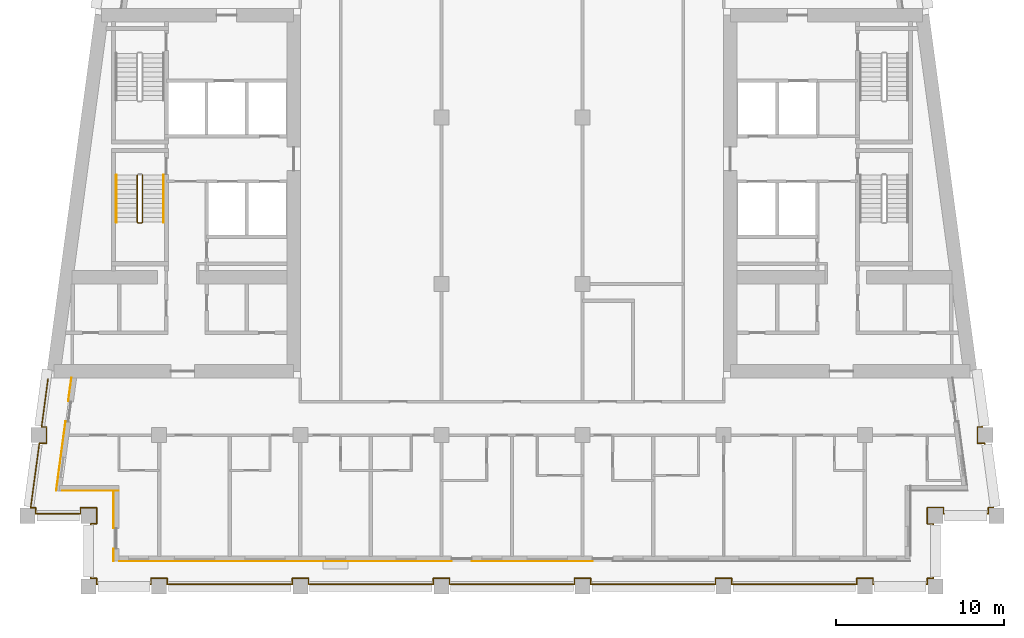
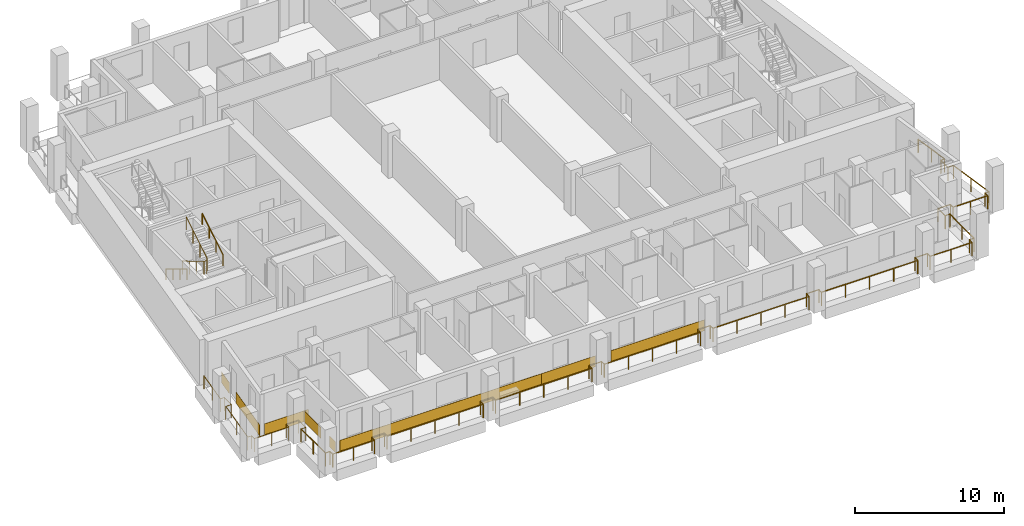
# One storey, part 9 of 13: 8 coverings, 5 railings.
"""IFC4 building model written with IfcOpenShell, lengths in metres."""

from ifc_helpers import new_model, si_unit, direction, frame, origin, origin_2d, place, context, subcontext, project, spatial, rectangle, circle, extrude, material, layer, layer_set, type_object, element, save


model = new_model("IFC4")

# Units and contexts
model_context = context("Model", 3, precision=1e-05, world=origin(), true_north=direction((0.0, 1.0)))
body_context = subcontext(model_context, "Body", "Model", "MODEL_VIEW")
ifc_project = project(units=[si_unit("LENGTHUNIT", "METRE"), si_unit("AREAUNIT", "SQUARE_METRE"), si_unit("VOLUMEUNIT", "CUBIC_METRE"), si_unit("PLANEANGLEUNIT", "RADIAN"), si_unit("MASSUNIT", "GRAM", prefix="KILO")], contexts=[model_context])

# Site, building, storey
site_placement = place(None, origin())
site = spatial("IfcSite", under=ifc_project, at=site_placement, CompositionType="ELEMENT")
building_placement = place(site_placement, origin())
building = spatial("IfcBuilding", under=site, at=building_placement, Name="Candeia Pilgrim Tower and Theatre", CompositionType="ELEMENT")
storey_placement = place(building_placement, frame((0.0, 0.0, 202.199951171875)))
storey = spatial("IfcBuildingStorey", under=building, at=storey_placement, Name="L48", CompositionType="ELEMENT", Elevation=202.199951171875)

# Railings
ifc_material_1 = material(Name="Stainless steel balustrade", Category="steel")
railing_type_1 = type_object("IfcRailingType", Name="G1 loggia guard 1100", PredefinedType="GUARDRAIL", material=ifc_material_1)
railing_1_placement = place(storey_placement, frame((88.320068359375, 101.719970703125, 0.0)))
element("IfcRailing", 1, at=railing_1_placement, inside=storey, type_object=railing_type_1, Name="Guard L48.1", PredefinedType="GUARDRAIL", context=body_context, shape_type="SweptSolid", body=[
    extrude(circle(Radius=0.02392578125, at=origin_2d()), frame((0.0, 0.0, 1.076171875), z_axis=(1.0, 0.0, 0.0), x_axis=(0.0, 1.0, 0.0)), (0.0, 0.0, 1.0), 0.35986328125),
    extrude(circle(Radius=0.02392578125, at=origin_2d()), frame((0.35986328125, 0.0, 1.076171875), z_axis=(0.0, 1.0, 0.0), x_axis=(-1.0, 0.0, 0.0)), (0.0, 0.0, 1.0), 0.9599609375),
    extrude(circle(Radius=0.02392578125, at=origin_2d()), frame((0.35986328125, 0.9599609375, 1.076171875), z_axis=(-1.0, 0.0, 0.0), x_axis=(0.0, -1.0, 0.0)), (0.0, 0.0, 1.0), 0.9599609375),
    extrude(circle(Radius=0.02392578125, at=origin_2d()), frame((-0.60009765625, 0.9599609375, 1.076171875), z_axis=(0.0, -1.0, 0.0), x_axis=(1.0, 0.0, 0.0)), (0.0, 0.0, 1.0), 0.35986328125),
    extrude(circle(Radius=0.02392578125, at=origin_2d()), frame((-0.60009765625, 0.60009765625, 1.076171875), z_axis=(-1.0, 0.0, 0.0), x_axis=(0.0, -1.0, 0.0)), (0.0, 0.0, 1.0), 2.674560546875),
    extrude(circle(Radius=0.02392578125, at=origin_2d()), frame((-3.274658203125, 0.60009765625, 1.076171875), z_axis=(0.0, 1.0, 0.0), x_axis=(-1.0, 0.0, 0.0)), (0.0, 0.0, 1.0), 0.35986328125),
    extrude(circle(Radius=0.02392578125, at=origin_2d()), frame((-3.274658203125, 0.9599609375, 1.076171875), z_axis=(-1.0, 0.0, 0.0), x_axis=(0.0, -1.0, 0.0)), (0.0, 0.0, 1.0), 0.29443359375),
    extrude(circle(Radius=0.02392578125, at=origin_2d()), frame((-3.569091796875, 0.9599609375, 1.076171875), z_axis=(0.133451286285, 0.991055373927, 0.0), x_axis=(-0.991055373927, 0.133451286285, 0.0)), (0.0, 0.0, 1.0), 3.874755859375),
    extrude(circle(Radius=0.02392578125, at=origin_2d()), frame((-3.052001953125, 4.800048828125, 1.076171875), z_axis=(1.0, 0.0, 0.0), x_axis=(0.0, 1.0, 0.0)), (0.0, 0.0, 1.0), 0.423583984375),
    extrude(circle(Radius=0.02392578125, at=origin_2d()), frame((-2.62841796875, 4.800048828125, 1.076171875), z_axis=(0.0, 1.0, 0.0), x_axis=(-1.0, 0.0, 0.0)), (0.0, 0.0, 1.0), 0.9599609375),
    extrude(circle(Radius=0.02392578125, at=origin_2d()), frame((-2.62841796875, 5.760009765625, 1.076171875), z_axis=(-1.0, 0.0, 0.0), x_axis=(0.0, -1.0, 0.0)), (0.0, 0.0, 1.0), 0.29443359375),
    extrude(circle(Radius=0.02392578125, at=origin_2d()), frame((-2.9228515625, 5.760009765625, 1.076171875), z_axis=(0.133450228179, 0.991055516406, 0.0), x_axis=(-0.991055516406, 0.133450228179, 0.0)), (0.0, 0.0, 1.0), 2.89599609375),
    extrude(circle(Radius=0.02099609375, at=origin_2d()), origin(), (0.0, 0.0, 1.0), 1.052001953125),
    extrude(circle(Radius=0.02099609375, at=origin_2d()), frame((0.35986328125, 0.0, 0.0)), (0.0, 0.0, 1.0), 1.052001953125),
    extrude(circle(Radius=0.02099609375, at=origin_2d()), frame((0.35986328125, 0.9599609375, 0.0)), (0.0, 0.0, 1.0), 1.052001953125),
    extrude(circle(Radius=0.02099609375, at=origin_2d()), frame((-0.60009765625, 0.9599609375, 0.0)), (0.0, 0.0, 1.0), 1.052001953125),
    extrude(circle(Radius=0.02099609375, at=origin_2d()), frame((-0.60009765625, 0.60009765625, 0.0)), (0.0, 0.0, 1.0), 1.052001953125),
    extrude(circle(Radius=0.02099609375, at=origin_2d()), frame((-1.9375, 0.60009765625, 0.0)), (0.0, 0.0, 1.0), 1.052001953125),
    extrude(circle(Radius=0.02099609375, at=origin_2d()), frame((-3.274658203125, 0.60009765625, 0.0)), (0.0, 0.0, 1.0), 1.052001953125),
    extrude(circle(Radius=0.02099609375, at=origin_2d()), frame((-3.274658203125, 0.9599609375, 0.0)), (0.0, 0.0, 1.0), 1.052001953125),
    extrude(circle(Radius=0.02099609375, at=origin_2d()), frame((-3.569091796875, 0.9599609375, 0.0)), (0.0, 0.0, 1.0), 1.052001953125),
    extrude(circle(Radius=0.02099609375, at=origin_2d()), frame((-3.310546875, 2.8798828125, 0.0)), (0.0, 0.0, 1.0), 1.052001953125),
    extrude(circle(Radius=0.02099609375, at=origin_2d()), frame((-3.052001953125, 4.800048828125, 0.0)), (0.0, 0.0, 1.0), 1.052001953125),
    extrude(circle(Radius=0.02099609375, at=origin_2d()), frame((-2.62841796875, 4.800048828125, 0.0)), (0.0, 0.0, 1.0), 1.052001953125),
    extrude(circle(Radius=0.02099609375, at=origin_2d()), frame((-2.62841796875, 5.760009765625, 0.0)), (0.0, 0.0, 1.0), 1.052001953125),
    extrude(circle(Radius=0.02099609375, at=origin_2d()), frame((-2.9228515625, 5.760009765625, 0.0)), (0.0, 0.0, 1.0), 1.052001953125),
    extrude(circle(Radius=0.02099609375, at=origin_2d()), frame((-2.7294921875, 7.195068359375, 0.0)), (0.0, 0.0, 1.0), 1.052001953125),
    extrude(circle(Radius=0.02099609375, at=origin_2d()), frame((-2.536376953125, 8.630126953125, 0.0)), (0.0, 0.0, 1.0), 1.052001953125),
])
railing_2_placement = place(storey_placement, frame((141.016357421875, 110.35009765625, 0.0)))
element("IfcRailing", 2, at=railing_2_placement, inside=storey, type_object=railing_type_1, Name="Guard L48.4", PredefinedType="GUARDRAIL", context=body_context, shape_type="SweptSolid", body=[
    extrude(circle(Radius=0.02392578125, at=origin_2d()), frame((0.0, 0.0, 1.076171875), z_axis=(0.133450228179, -0.991055516406, 0.0), x_axis=(0.991055516406, 0.133450228179, 0.0)), (0.0, 0.0, 1.0), 2.89599609375),
    extrude(circle(Radius=0.02392578125, at=origin_2d()), frame((0.386474609375, -2.8701171875, 1.076171875), z_axis=(-1.0, 0.0, 0.0), x_axis=(0.0, -1.0, 0.0)), (0.0, 0.0, 1.0), 0.29443359375),
    extrude(circle(Radius=0.02392578125, at=origin_2d()), frame((0.092041015625, -2.8701171875, 1.076171875), z_axis=(0.0, -1.0, 0.0), x_axis=(1.0, 0.0, 0.0)), (0.0, 0.0, 1.0), 0.9599609375),
    extrude(circle(Radius=0.02392578125, at=origin_2d()), frame((0.092041015625, -3.830078125, 1.076171875), z_axis=(1.0, 0.0, 0.0), x_axis=(0.0, 1.0, 0.0)), (0.0, 0.0, 1.0), 0.423583984375),
    extrude(circle(Radius=0.02392578125, at=origin_2d()), frame((0.515625, -3.830078125, 1.076171875), z_axis=(0.133389399471, -0.991063705374, 0.0), x_axis=(0.991063705374, 0.133389399471, 0.0)), (0.0, 0.0, 1.0), 3.874755859375),
    extrude(circle(Radius=0.02392578125, at=origin_2d()), frame((1.032470703125, -7.670166015625, 1.076171875), z_axis=(-1.0, 0.0, 0.0), x_axis=(0.0, -1.0, 0.0)), (0.0, 0.0, 1.0), 0.294189453125),
    extrude(circle(Radius=0.02392578125, at=origin_2d()), frame((0.73828125, -7.670166015625, 1.076171875), z_axis=(0.0, -1.0, 0.0), x_axis=(1.0, 0.0, 0.0)), (0.0, 0.0, 1.0), 0.35986328125),
    extrude(circle(Radius=0.02392578125, at=origin_2d()), frame((0.73828125, -8.030029296875, 1.076171875), z_axis=(-1.0, 0.0, 0.0), x_axis=(0.0, -1.0, 0.0)), (0.0, 0.0, 1.0), 2.674560546875),
    extrude(circle(Radius=0.02392578125, at=origin_2d()), frame((-1.936279296875, -8.030029296875, 1.076171875), z_axis=(0.0, 1.0, 0.0), x_axis=(-1.0, 0.0, 0.0)), (0.0, 0.0, 1.0), 0.35986328125),
    extrude(circle(Radius=0.02392578125, at=origin_2d()), frame((-1.936279296875, -7.670166015625, 1.076171875), z_axis=(-1.0, 0.0, 0.0), x_axis=(0.0, -1.0, 0.0)), (0.0, 0.0, 1.0), 0.9599609375),
    extrude(circle(Radius=0.02392578125, at=origin_2d()), frame((-2.896240234375, -7.670166015625, 1.076171875), z_axis=(0.0, -1.0, 0.0), x_axis=(1.0, 0.0, 0.0)), (0.0, 0.0, 1.0), 0.9599609375),
    extrude(circle(Radius=0.02392578125, at=origin_2d()), frame((-2.896240234375, -8.630126953125, 1.076171875), z_axis=(1.0, 0.0, 0.0), x_axis=(0.0, 1.0, 0.0)), (0.0, 0.0, 1.0), 0.35986328125),
    extrude(circle(Radius=0.02392578125, at=origin_2d()), frame((-2.536376953125, -8.630126953125, 1.076171875), z_axis=(0.0, -1.0, 0.0), x_axis=(1.0, 0.0, 0.0)), (0.0, 0.0, 1.0), 3.239990234375),
    extrude(circle(Radius=0.02392578125, at=origin_2d()), frame((-2.536376953125, -11.8701171875, 1.076171875), z_axis=(-1.0, 0.0, 0.0), x_axis=(0.0, -1.0, 0.0)), (0.0, 0.0, 1.0), 0.35986328125),
    extrude(circle(Radius=0.02392578125, at=origin_2d()), frame((-2.896240234375, -11.8701171875, 1.076171875), z_axis=(0.0, -1.0, 0.0), x_axis=(1.0, 0.0, 0.0)), (0.0, 0.0, 1.0), 0.35986328125),
    extrude(circle(Radius=0.02392578125, at=origin_2d()), frame((-2.896240234375, -12.22998046875, 1.076171875), z_axis=(-1.0, 0.0, 0.0), x_axis=(0.0, -1.0, 0.0)), (0.0, 0.0, 1.0), 3.240234375),
    extrude(circle(Radius=0.02392578125, at=origin_2d()), frame((-6.136474609375, -12.22998046875, 1.076171875), z_axis=(0.0, 1.0, 0.0), x_axis=(-1.0, 0.0, 0.0)), (0.0, 0.0, 1.0), 0.35986328125),
    extrude(circle(Radius=0.02392578125, at=origin_2d()), frame((-6.136474609375, -11.8701171875, 1.076171875), z_axis=(-1.0, 0.0, 0.0), x_axis=(0.0, -1.0, 0.0)), (0.0, 0.0, 1.0), 0.9599609375),
    extrude(circle(Radius=0.02392578125, at=origin_2d()), frame((-7.096435546875, -11.8701171875, 1.076171875), z_axis=(0.0, -1.0, 0.0), x_axis=(1.0, 0.0, 0.0)), (0.0, 0.0, 1.0), 0.35986328125),
    extrude(circle(Radius=0.02392578125, at=origin_2d()), frame((-7.096435546875, -12.22998046875, 1.076171875), z_axis=(-1.0, 0.0, 0.0), x_axis=(0.0, -1.0, 0.0)), (0.0, 0.0, 1.0), 7.43994140625),
    extrude(circle(Radius=0.02392578125, at=origin_2d()), frame((-14.536376953125, -12.22998046875, 1.076171875), z_axis=(0.0, 1.0, 0.0), x_axis=(-1.0, 0.0, 0.0)), (0.0, 0.0, 1.0), 0.35986328125),
    extrude(circle(Radius=0.02392578125, at=origin_2d()), frame((-14.536376953125, -11.8701171875, 1.076171875), z_axis=(-1.0, 0.0, 0.0), x_axis=(0.0, -1.0, 0.0)), (0.0, 0.0, 1.0), 0.9599609375),
    extrude(circle(Radius=0.02392578125, at=origin_2d()), frame((-15.496337890625, -11.8701171875, 1.076171875), z_axis=(0.0, -1.0, 0.0), x_axis=(1.0, 0.0, 0.0)), (0.0, 0.0, 1.0), 0.35986328125),
    extrude(circle(Radius=0.02392578125, at=origin_2d()), frame((-15.496337890625, -12.22998046875, 1.076171875), z_axis=(-1.0, 0.0, 0.0), x_axis=(0.0, -1.0, 0.0)), (0.0, 0.0, 1.0), 7.43994140625),
    extrude(circle(Radius=0.02392578125, at=origin_2d()), frame((-22.936279296875, -12.22998046875, 1.076171875), z_axis=(0.0, 1.0, 0.0), x_axis=(-1.0, 0.0, 0.0)), (0.0, 0.0, 1.0), 0.35986328125),
    extrude(circle(Radius=0.02392578125, at=origin_2d()), frame((-22.936279296875, -11.8701171875, 1.076171875), z_axis=(-1.0, 0.0, 0.0), x_axis=(0.0, -1.0, 0.0)), (0.0, 0.0, 1.0), 0.9599609375),
    extrude(circle(Radius=0.02392578125, at=origin_2d()), frame((-23.896240234375, -11.8701171875, 1.076171875), z_axis=(0.0, -1.0, 0.0), x_axis=(1.0, 0.0, 0.0)), (0.0, 0.0, 1.0), 0.35986328125),
    extrude(circle(Radius=0.02392578125, at=origin_2d()), frame((-23.896240234375, -12.22998046875, 1.076171875), z_axis=(-1.0, 0.0, 0.0), x_axis=(0.0, -1.0, 0.0)), (0.0, 0.0, 1.0), 7.440185546875),
    extrude(circle(Radius=0.02392578125, at=origin_2d()), frame((-31.33642578125, -12.22998046875, 1.076171875), z_axis=(0.0, 1.0, 0.0), x_axis=(-1.0, 0.0, 0.0)), (0.0, 0.0, 1.0), 0.35986328125),
    extrude(circle(Radius=0.02392578125, at=origin_2d()), frame((-31.33642578125, -11.8701171875, 1.076171875), z_axis=(-1.0, 0.0, 0.0), x_axis=(0.0, -1.0, 0.0)), (0.0, 0.0, 1.0), 0.9599609375),
    extrude(circle(Radius=0.02392578125, at=origin_2d()), frame((-32.29638671875, -11.8701171875, 1.076171875), z_axis=(0.0, -1.0, 0.0), x_axis=(1.0, 0.0, 0.0)), (0.0, 0.0, 1.0), 0.35986328125),
    extrude(circle(Radius=0.02392578125, at=origin_2d()), frame((-32.29638671875, -12.22998046875, 1.076171875), z_axis=(-1.0, 0.0, 0.0), x_axis=(0.0, -1.0, 0.0)), (0.0, 0.0, 1.0), 7.43994140625),
    extrude(circle(Radius=0.02392578125, at=origin_2d()), frame((-39.736328125, -12.22998046875, 1.076171875), z_axis=(0.0, 1.0, 0.0), x_axis=(-1.0, 0.0, 0.0)), (0.0, 0.0, 1.0), 0.35986328125),
    extrude(circle(Radius=0.02392578125, at=origin_2d()), frame((-39.736328125, -11.8701171875, 1.076171875), z_axis=(-1.0, 0.0, 0.0), x_axis=(0.0, -1.0, 0.0)), (0.0, 0.0, 1.0), 0.9599609375),
    extrude(circle(Radius=0.02392578125, at=origin_2d()), frame((-40.6962890625, -11.8701171875, 1.076171875), z_axis=(0.0, -1.0, 0.0), x_axis=(1.0, 0.0, 0.0)), (0.0, 0.0, 1.0), 0.35986328125),
    extrude(circle(Radius=0.02392578125, at=origin_2d()), frame((-40.6962890625, -12.22998046875, 1.076171875), z_axis=(-1.0, 0.0, 0.0), x_axis=(0.0, -1.0, 0.0)), (0.0, 0.0, 1.0), 7.440185546875),
    extrude(circle(Radius=0.02392578125, at=origin_2d()), frame((-48.136474609375, -12.22998046875, 1.076171875), z_axis=(0.0, 1.0, 0.0), x_axis=(-1.0, 0.0, 0.0)), (0.0, 0.0, 1.0), 0.35986328125),
    extrude(circle(Radius=0.02392578125, at=origin_2d()), frame((-48.136474609375, -11.8701171875, 1.076171875), z_axis=(-1.0, 0.0, 0.0), x_axis=(0.0, -1.0, 0.0)), (0.0, 0.0, 1.0), 0.9599609375),
    extrude(circle(Radius=0.02392578125, at=origin_2d()), frame((-49.096435546875, -11.8701171875, 1.076171875), z_axis=(0.0, -1.0, 0.0), x_axis=(1.0, 0.0, 0.0)), (0.0, 0.0, 1.0), 0.35986328125),
    extrude(circle(Radius=0.02392578125, at=origin_2d()), frame((-49.096435546875, -12.22998046875, 1.076171875), z_axis=(-1.0, 0.0, 0.0), x_axis=(0.0, -1.0, 0.0)), (0.0, 0.0, 1.0), 3.239990234375),
    extrude(circle(Radius=0.02392578125, at=origin_2d()), frame((-52.33642578125, -12.22998046875, 1.076171875), z_axis=(0.0, 1.0, 0.0), x_axis=(-1.0, 0.0, 0.0)), (0.0, 0.0, 1.0), 0.35986328125),
    extrude(circle(Radius=0.02392578125, at=origin_2d()), frame((-52.33642578125, -11.8701171875, 1.076171875), z_axis=(-1.0, 0.0, 0.0), x_axis=(0.0, -1.0, 0.0)), (0.0, 0.0, 1.0), 0.35986328125),
    extrude(circle(Radius=0.02392578125, at=origin_2d()), frame((-52.6962890625, -11.8701171875, 1.076171875), z_axis=(0.0, 1.0, 0.0), x_axis=(-1.0, 0.0, 0.0)), (0.0, 0.0, 1.0), 3.239990234375),
    extrude(circle(Radius=0.02099609375, at=origin_2d()), origin(), (0.0, 0.0, 1.0), 1.052001953125),
    extrude(circle(Radius=0.02099609375, at=origin_2d()), frame((0.193359375, -1.43505859375, 0.0)), (0.0, 0.0, 1.0), 1.052001953125),
    extrude(circle(Radius=0.02099609375, at=origin_2d()), frame((0.386474609375, -2.8701171875, 0.0)), (0.0, 0.0, 1.0), 1.052001953125),
    extrude(circle(Radius=0.02099609375, at=origin_2d()), frame((0.092041015625, -2.8701171875, 0.0)), (0.0, 0.0, 1.0), 1.052001953125),
    extrude(circle(Radius=0.02099609375, at=origin_2d()), frame((0.092041015625, -3.830078125, 0.0)), (0.0, 0.0, 1.0), 1.052001953125),
    extrude(circle(Radius=0.02099609375, at=origin_2d()), frame((0.515625, -3.830078125, 0.0)), (0.0, 0.0, 1.0), 1.052001953125),
    extrude(circle(Radius=0.02099609375, at=origin_2d()), frame((0.77392578125, -5.75, 0.0)), (0.0, 0.0, 1.0), 1.052001953125),
    extrude(circle(Radius=0.02099609375, at=origin_2d()), frame((1.032470703125, -7.670166015625, 0.0)), (0.0, 0.0, 1.0), 1.052001953125),
    extrude(circle(Radius=0.02099609375, at=origin_2d()), frame((0.73828125, -7.670166015625, 0.0)), (0.0, 0.0, 1.0), 1.052001953125),
    extrude(circle(Radius=0.02099609375, at=origin_2d()), frame((0.73828125, -8.030029296875, 0.0)), (0.0, 0.0, 1.0), 1.052001953125),
    extrude(circle(Radius=0.02099609375, at=origin_2d()), frame((-0.59912109375, -8.030029296875, 0.0)), (0.0, 0.0, 1.0), 1.052001953125),
    extrude(circle(Radius=0.02099609375, at=origin_2d()), frame((-1.936279296875, -8.030029296875, 0.0)), (0.0, 0.0, 1.0), 1.052001953125),
    extrude(circle(Radius=0.02099609375, at=origin_2d()), frame((-1.936279296875, -7.670166015625, 0.0)), (0.0, 0.0, 1.0), 1.052001953125),
    extrude(circle(Radius=0.02099609375, at=origin_2d()), frame((-2.896240234375, -7.670166015625, 0.0)), (0.0, 0.0, 1.0), 1.052001953125),
    extrude(circle(Radius=0.02099609375, at=origin_2d()), frame((-2.896240234375, -8.630126953125, 0.0)), (0.0, 0.0, 1.0), 1.052001953125),
    extrude(circle(Radius=0.02099609375, at=origin_2d()), frame((-2.536376953125, -8.630126953125, 0.0)), (0.0, 0.0, 1.0), 1.052001953125),
    extrude(circle(Radius=0.02099609375, at=origin_2d()), frame((-2.536376953125, -10.25, 0.0)), (0.0, 0.0, 1.0), 1.052001953125),
    extrude(circle(Radius=0.02099609375, at=origin_2d()), frame((-2.536376953125, -11.8701171875, 0.0)), (0.0, 0.0, 1.0), 1.052001953125),
    extrude(circle(Radius=0.02099609375, at=origin_2d()), frame((-2.896240234375, -11.8701171875, 0.0)), (0.0, 0.0, 1.0), 1.052001953125),
    extrude(circle(Radius=0.02099609375, at=origin_2d()), frame((-2.896240234375, -12.22998046875, 0.0)), (0.0, 0.0, 1.0), 1.052001953125),
    extrude(circle(Radius=0.02099609375, at=origin_2d()), frame((-4.516357421875, -12.22998046875, 0.0)), (0.0, 0.0, 1.0), 1.052001953125),
    extrude(circle(Radius=0.02099609375, at=origin_2d()), frame((-6.136474609375, -12.22998046875, 0.0)), (0.0, 0.0, 1.0), 1.052001953125),
    extrude(circle(Radius=0.02099609375, at=origin_2d()), frame((-6.136474609375, -11.8701171875, 0.0)), (0.0, 0.0, 1.0), 1.052001953125),
    extrude(circle(Radius=0.02099609375, at=origin_2d()), frame((-7.096435546875, -11.8701171875, 0.0)), (0.0, 0.0, 1.0), 1.052001953125),
    extrude(circle(Radius=0.02099609375, at=origin_2d()), frame((-7.096435546875, -12.22998046875, 0.0)), (0.0, 0.0, 1.0), 1.052001953125),
    extrude(circle(Radius=0.02099609375, at=origin_2d()), frame((-8.95654296875, -12.22998046875, 0.0)), (0.0, 0.0, 1.0), 1.052001953125),
    extrude(circle(Radius=0.02099609375, at=origin_2d()), frame((-10.81640625, -12.22998046875, 0.0)), (0.0, 0.0, 1.0), 1.052001953125),
    extrude(circle(Radius=0.02099609375, at=origin_2d()), frame((-12.67626953125, -12.22998046875, 0.0)), (0.0, 0.0, 1.0), 1.052001953125),
    extrude(circle(Radius=0.02099609375, at=origin_2d()), frame((-14.536376953125, -12.22998046875, 0.0)), (0.0, 0.0, 1.0), 1.052001953125),
    extrude(circle(Radius=0.02099609375, at=origin_2d()), frame((-14.536376953125, -11.8701171875, 0.0)), (0.0, 0.0, 1.0), 1.052001953125),
    extrude(circle(Radius=0.02099609375, at=origin_2d()), frame((-15.496337890625, -11.8701171875, 0.0)), (0.0, 0.0, 1.0), 1.052001953125),
    extrude(circle(Radius=0.02099609375, at=origin_2d()), frame((-15.496337890625, -12.22998046875, 0.0)), (0.0, 0.0, 1.0), 1.052001953125),
    extrude(circle(Radius=0.02099609375, at=origin_2d()), frame((-17.3564453125, -12.22998046875, 0.0)), (0.0, 0.0, 1.0), 1.052001953125),
    extrude(circle(Radius=0.02099609375, at=origin_2d()), frame((-19.21630859375, -12.22998046875, 0.0)), (0.0, 0.0, 1.0), 1.052001953125),
    extrude(circle(Radius=0.02099609375, at=origin_2d()), frame((-21.076171875, -12.22998046875, 0.0)), (0.0, 0.0, 1.0), 1.052001953125),
    extrude(circle(Radius=0.02099609375, at=origin_2d()), frame((-22.936279296875, -12.22998046875, 0.0)), (0.0, 0.0, 1.0), 1.052001953125),
    extrude(circle(Radius=0.02099609375, at=origin_2d()), frame((-22.936279296875, -11.8701171875, 0.0)), (0.0, 0.0, 1.0), 1.052001953125),
    extrude(circle(Radius=0.02099609375, at=origin_2d()), frame((-23.896240234375, -11.8701171875, 0.0)), (0.0, 0.0, 1.0), 1.052001953125),
    extrude(circle(Radius=0.02099609375, at=origin_2d()), frame((-23.896240234375, -12.22998046875, 0.0)), (0.0, 0.0, 1.0), 1.052001953125),
    extrude(circle(Radius=0.02099609375, at=origin_2d()), frame((-25.75634765625, -12.22998046875, 0.0)), (0.0, 0.0, 1.0), 1.052001953125),
    extrude(circle(Radius=0.02099609375, at=origin_2d()), frame((-27.6162109375, -12.22998046875, 0.0)), (0.0, 0.0, 1.0), 1.052001953125),
    extrude(circle(Radius=0.02099609375, at=origin_2d()), frame((-29.476318359375, -12.22998046875, 0.0)), (0.0, 0.0, 1.0), 1.052001953125),
    extrude(circle(Radius=0.02099609375, at=origin_2d()), frame((-31.33642578125, -12.22998046875, 0.0)), (0.0, 0.0, 1.0), 1.052001953125),
    extrude(circle(Radius=0.02099609375, at=origin_2d()), frame((-31.33642578125, -11.8701171875, 0.0)), (0.0, 0.0, 1.0), 1.052001953125),
    extrude(circle(Radius=0.02099609375, at=origin_2d()), frame((-32.29638671875, -11.8701171875, 0.0)), (0.0, 0.0, 1.0), 1.052001953125),
    extrude(circle(Radius=0.02099609375, at=origin_2d()), frame((-32.29638671875, -12.22998046875, 0.0)), (0.0, 0.0, 1.0), 1.052001953125),
    extrude(circle(Radius=0.02099609375, at=origin_2d()), frame((-34.15625, -12.22998046875, 0.0)), (0.0, 0.0, 1.0), 1.052001953125),
    extrude(circle(Radius=0.02099609375, at=origin_2d()), frame((-36.016357421875, -12.22998046875, 0.0)), (0.0, 0.0, 1.0), 1.052001953125),
    extrude(circle(Radius=0.02099609375, at=origin_2d()), frame((-37.87646484375, -12.22998046875, 0.0)), (0.0, 0.0, 1.0), 1.052001953125),
    extrude(circle(Radius=0.02099609375, at=origin_2d()), frame((-39.736328125, -12.22998046875, 0.0)), (0.0, 0.0, 1.0), 1.052001953125),
    extrude(circle(Radius=0.02099609375, at=origin_2d()), frame((-39.736328125, -11.8701171875, 0.0)), (0.0, 0.0, 1.0), 1.052001953125),
    extrude(circle(Radius=0.02099609375, at=origin_2d()), frame((-40.6962890625, -11.8701171875, 0.0)), (0.0, 0.0, 1.0), 1.052001953125),
    extrude(circle(Radius=0.02099609375, at=origin_2d()), frame((-40.6962890625, -12.22998046875, 0.0)), (0.0, 0.0, 1.0), 1.052001953125),
    extrude(circle(Radius=0.02099609375, at=origin_2d()), frame((-42.556396484375, -12.22998046875, 0.0)), (0.0, 0.0, 1.0), 1.052001953125),
    extrude(circle(Radius=0.02099609375, at=origin_2d()), frame((-44.41650390625, -12.22998046875, 0.0)), (0.0, 0.0, 1.0), 1.052001953125),
    extrude(circle(Radius=0.02099609375, at=origin_2d()), frame((-46.2763671875, -12.22998046875, 0.0)), (0.0, 0.0, 1.0), 1.052001953125),
    extrude(circle(Radius=0.02099609375, at=origin_2d()), frame((-48.136474609375, -12.22998046875, 0.0)), (0.0, 0.0, 1.0), 1.052001953125),
    extrude(circle(Radius=0.02099609375, at=origin_2d()), frame((-48.136474609375, -11.8701171875, 0.0)), (0.0, 0.0, 1.0), 1.052001953125),
    extrude(circle(Radius=0.02099609375, at=origin_2d()), frame((-49.096435546875, -11.8701171875, 0.0)), (0.0, 0.0, 1.0), 1.052001953125),
    extrude(circle(Radius=0.02099609375, at=origin_2d()), frame((-49.096435546875, -12.22998046875, 0.0)), (0.0, 0.0, 1.0), 1.052001953125),
    extrude(circle(Radius=0.02099609375, at=origin_2d()), frame((-50.71630859375, -12.22998046875, 0.0)), (0.0, 0.0, 1.0), 1.052001953125),
    extrude(circle(Radius=0.02099609375, at=origin_2d()), frame((-52.33642578125, -12.22998046875, 0.0)), (0.0, 0.0, 1.0), 1.052001953125),
    extrude(circle(Radius=0.02099609375, at=origin_2d()), frame((-52.33642578125, -11.8701171875, 0.0)), (0.0, 0.0, 1.0), 1.052001953125),
    extrude(circle(Radius=0.02099609375, at=origin_2d()), frame((-52.6962890625, -11.8701171875, 0.0)), (0.0, 0.0, 1.0), 1.052001953125),
    extrude(circle(Radius=0.02099609375, at=origin_2d()), frame((-52.6962890625, -10.25, 0.0)), (0.0, 0.0, 1.0), 1.052001953125),
    extrude(circle(Radius=0.02099609375, at=origin_2d()), frame((-52.6962890625, -8.630126953125, 0.0)), (0.0, 0.0, 1.0), 1.052001953125),
])

# Coverings
ifc_material_2 = material(Name="Glazed ceramic tile bottle green")
ifc_layer_1 = layer(ifc_material_2, 0.02001953125)
ifc_layer_set_1 = layer_set([ifc_layer_1], Name="Glazed ceramic tile bottle green")
covering_type_1 = type_object("IfcCoveringType", Name="Glazed ceramic tile bottle green", PredefinedType="CLADDING", material=ifc_layer_set_1)
covering_1_placement = place(storey_placement, frame((107.699951171875, 99.489990234375, 0.0), z_axis=(0.0, 0.0, 1.0), x_axis=(1.0, 0.0, 0.0)))
element("IfcCovering", 3, at=covering_1_placement, inside=storey, type_object=covering_type_1, Name="Tile cladding bottle green L48", PredefinedType="CLADDING", context=body_context, shape_type="SweptSolid", body=[
    extrude(rectangle(XDim=4.199951171875, YDim=0.02001953125, at=origin_2d()), origin(), (0.0, 0.0, 1.0), 0.89990234375),
])
covering_2_placement = place(storey_placement, frame((114.60009765625, 99.489990234375, 0.0), z_axis=(0.0, 0.0, 1.0), x_axis=(1.0, 0.0, 0.0)))
element("IfcCovering", 4, at=covering_2_placement, inside=storey, type_object=covering_type_1, Name="Tile cladding bottle green L48", PredefinedType="CLADDING", context=body_context, shape_type="SweptSolid", body=[
    extrude(rectangle(XDim=7.199951171875, YDim=0.02001953125, at=origin_2d()), origin(), (0.0, 0.0, 1.0), 0.89990234375),
])
ifc_material_3 = material(Name="Glazed ceramic tile rust")
ifc_layer_2 = layer(ifc_material_3, 0.02001953125)
ifc_layer_set_2 = layer_set([ifc_layer_2], Name="Glazed ceramic tile rust")
covering_type_2 = type_object("IfcCoveringType", Name="Glazed ceramic tile rust", PredefinedType="CLADDING", material=ifc_layer_set_2)
covering_3_placement = place(storey_placement, frame((97.81005859375, 99.489990234375, 0.0), z_axis=(0.0, 0.0, 1.0), x_axis=(1.0, 0.0, 0.0)))
element("IfcCovering", 5, at=covering_3_placement, inside=storey, type_object=covering_type_2, Name="Tile cladding rust L48", PredefinedType="CLADDING", context=body_context, shape_type="SweptSolid", body=[
    extrude(rectangle(XDim=15.580078125, YDim=0.02001953125, at=origin_2d()), origin(), (0.0, 0.0, 1.0), 0.89990234375),
])
covering_4_placement = place(storey_placement, frame((87.0810546875, 109.71875, 0.0), z_axis=(0.0, 0.0, 1.0), x_axis=(-0.133412012145, -0.991060661622, 0.0)))
element("IfcCovering", 6, at=covering_4_placement, inside=storey, type_object=covering_type_2, Name="Tile cladding rust L48", PredefinedType="CLADDING", context=body_context, shape_type="SweptSolid", body=[
    extrude(rectangle(XDim=1.41796875, YDim=0.02001953125, at=origin_2d()), origin(), (0.0, 0.0, 1.0), 0.89990234375),
])
covering_5_placement = place(storey_placement, frame((86.548583984375, 105.763916015625, 0.0), z_axis=(0.0, 0.0, 1.0), x_axis=(-0.133412012145, -0.991060661622, 0.0)))
element("IfcCovering", 7, at=covering_5_placement, inside=storey, type_object=covering_type_2, Name="Tile cladding rust L48", PredefinedType="CLADDING", context=body_context, shape_type="SweptSolid", body=[
    extrude(rectangle(XDim=4.16259765625, YDim=0.02001953125, at=origin_2d()), origin(), (0.0, 0.0, 1.0), 0.89990234375),
])
covering_6_placement = place(storey_placement, frame((88.311279296875, 103.68994140625, 0.0), z_axis=(0.0, 0.0, 1.0), x_axis=(1.0, 0.0, 0.0)))
element("IfcCovering", 8, at=covering_6_placement, inside=storey, type_object=covering_type_2, Name="Tile cladding rust L48", PredefinedType="CLADDING", context=body_context, shape_type="SweptSolid", body=[
    extrude(rectangle(XDim=3.377685546875, YDim=0.02001953125, at=origin_2d()), origin(), (0.0, 0.0, 1.0), 0.89990234375),
])
covering_7_placement = place(storey_placement, frame((89.68994140625, 102.56494140625, 0.0), z_axis=(0.0, 0.0, 1.0), x_axis=(0.0, -1.0, 0.0)))
element("IfcCovering", 9, at=covering_7_placement, inside=storey, type_object=covering_type_2, Name="Tile cladding rust L48", PredefinedType="CLADDING", context=body_context, shape_type="SweptSolid", body=[
    extrude(rectangle(XDim=2.22998046875, YDim=0.02001953125, at=origin_2d()), origin(), (0.0, 0.0, 1.0), 0.89990234375),
])
covering_8_placement = place(storey_placement, frame((89.68994140625, 99.875, 0.0), z_axis=(0.0, 0.0, 1.0), x_axis=(0.0, -1.0, 0.0)))
element("IfcCovering", 10, at=covering_8_placement, inside=storey, type_object=covering_type_2, Name="Tile cladding rust L48", PredefinedType="CLADDING", context=body_context, shape_type="SweptSolid", body=[
    extrude(rectangle(XDim=0.75, YDim=0.02001953125, at=origin_2d()), origin(), (0.0, 0.0, 1.0), 0.89990234375),
])

# Railings
railing_type_2 = type_object("IfcRailingType", Name="RL-GUARD-1100", PredefinedType="GUARDRAIL", material=ifc_material_1)
railing_3_placement = place(storey_placement, frame((91.10205078125, 122.47509765625, 0.168212890625)))
element("IfcRailing", 11, at=railing_3_placement, inside=storey, type_object=railing_type_2, Name="L48 ST1 stair guard 1", PredefinedType="GUARDRAIL", context=body_context, shape_type="SweptSolid", body=[
    extrude(circle(Radius=0.02392578125, at=origin_2d()), frame((0.0, 0.0, 1.076171875), z_axis=(0.0, -0.857242210791, 0.514913383045), x_axis=(1.0, 0.0, 0.0)), (0.0, 0.0, 1.0), 3.266357421875),
    extrude(circle(Radius=0.02392578125, at=origin_2d()), frame((0.0, -2.800048828125, 2.7578125), z_axis=(0.707106781187, -0.707106781187, 0.0), x_axis=(0.707106781187, 0.707106781187, 0.0)), (0.0, 0.0, 1.0), 0.07080078125),
    extrude(circle(Radius=0.02392578125, at=origin_2d()), frame((0.050048828125, -2.85009765625, 2.7578125), z_axis=(1.0, 0.0, 0.0), x_axis=(0.0, 1.0, 0.0)), (0.0, 0.0, 1.0), 0.199951171875),
    extrude(circle(Radius=0.02392578125, at=origin_2d()), frame((0.25, -2.85009765625, 2.7578125), z_axis=(0.274243871929, 0.274243871929, 0.92172696468), x_axis=(-0.707106781187, 0.707106781187, 0.0)), (0.0, 0.0, 1.0), 0.1826171875),
    extrude(circle(Radius=0.02392578125, at=origin_2d()), frame((0.300048828125, -2.800048828125, 2.92626953125), z_axis=(0.0, 0.857275202839, 0.514858452973), x_axis=(-1.0, 0.0, 0.0)), (0.0, 0.0, 1.0), 3.26611328125),
    extrude(circle(Radius=0.02099609375, at=origin_2d()), origin(), (0.0, 0.0, 1.0), 1.052001953125),
    extrude(circle(Radius=0.02099609375, at=origin_2d()), frame((0.0, -0.933349609375, 0.560546875)), (0.0, 0.0, 1.0), 1.052001953125),
    extrude(circle(Radius=0.02099609375, at=origin_2d()), frame((0.0, -1.86669921875, 1.121337890625)), (0.0, 0.0, 1.0), 1.052001953125),
    extrude(circle(Radius=0.02099609375, at=origin_2d()), frame((0.0, -2.800048828125, 1.681884765625)), (0.0, 0.0, 1.0), 1.052001953125),
    extrude(circle(Radius=0.02099609375, at=origin_2d()), frame((0.050048828125, -2.85009765625, 1.681884765625)), (0.0, 0.0, 1.0), 1.052001953125),
    extrude(circle(Radius=0.02099609375, at=origin_2d()), frame((0.25, -2.85009765625, 1.681884765625)), (0.0, 0.0, 1.0), 1.052001953125),
    extrude(circle(Radius=0.02099609375, at=origin_2d()), frame((0.300048828125, -2.800048828125, 1.85009765625)), (0.0, 0.0, 1.0), 1.052001953125),
    extrude(circle(Radius=0.02099609375, at=origin_2d()), frame((0.300048828125, -1.86669921875, 2.41064453125)), (0.0, 0.0, 1.0), 1.052001953125),
    extrude(circle(Radius=0.02099609375, at=origin_2d()), frame((0.300048828125, -0.933349609375, 2.97119140625)), (0.0, 0.0, 1.0), 1.052001953125),
    extrude(circle(Radius=0.02099609375, at=origin_2d()), frame((0.300048828125, 0.0, 3.53173828125)), (0.0, 0.0, 1.0), 1.052001953125),
])
ifc_material_4 = material(Name="Stainless steel handrail", Category="steel")
railing_type_3 = type_object("IfcRailingType", Name="RL-HANDRAIL-900", PredefinedType="HANDRAIL", material=ifc_material_4)
railing_4_placement = place(storey_placement, frame((89.85205078125, 122.47509765625, 0.168212890625)))
element("IfcRailing", 12, at=railing_4_placement, inside=storey, type_object=railing_type_3, Name="L48 ST1 stair handrail 1", PredefinedType="HANDRAIL", context=body_context, shape_type="SweptSolid", body=[
    extrude(circle(Radius=0.02392578125, at=origin_2d()), frame((0.0, 0.0, 0.8759765625), z_axis=(0.0, -0.857242210791, 0.514913383045), x_axis=(1.0, 0.0, 0.0)), (0.0, 0.0, 1.0), 3.266357421875),
    extrude(circle(Radius=0.02099609375, at=origin_2d()), origin(), (0.0, 0.0, 1.0), 0.851806640625),
    extrude(circle(Radius=0.02099609375, at=origin_2d()), frame((0.0, -0.933349609375, 0.560546875)), (0.0, 0.0, 1.0), 0.851806640625),
    extrude(circle(Radius=0.02099609375, at=origin_2d()), frame((0.0, -1.86669921875, 1.121337890625)), (0.0, 0.0, 1.0), 0.851806640625),
    extrude(circle(Radius=0.02099609375, at=origin_2d()), frame((0.0, -2.800048828125, 1.681884765625)), (0.0, 0.0, 1.0), 0.851806640625),
])
railing_5_placement = place(storey_placement, frame((92.652099609375, 119.675048828125, 2.018310546875)))
element("IfcRailing", 13, at=railing_5_placement, inside=storey, type_object=railing_type_3, Name="L48 ST1 stair handrail 2", PredefinedType="HANDRAIL", context=body_context, shape_type="SweptSolid", body=[
    extrude(circle(Radius=0.02392578125, at=origin_2d()), frame((0.0, 0.0, 0.8759765625), z_axis=(0.0, 0.857275202839, 0.514858452973), x_axis=(-1.0, 0.0, 0.0)), (0.0, 0.0, 1.0), 3.26611328125),
    extrude(circle(Radius=0.02099609375, at=origin_2d()), origin(), (0.0, 0.0, 1.0), 0.851806640625),
    extrude(circle(Radius=0.02099609375, at=origin_2d()), frame((0.0, 0.933349609375, 0.560546875)), (0.0, 0.0, 1.0), 0.851806640625),
    extrude(circle(Radius=0.02099609375, at=origin_2d()), frame((0.0, 1.86669921875, 1.12109375)), (0.0, 0.0, 1.0), 0.851806640625),
    extrude(circle(Radius=0.02099609375, at=origin_2d()), frame((0.0, 2.800048828125, 1.681640625)), (0.0, 0.0, 1.0), 0.851806640625),
])

save(model, "model.ifc")
